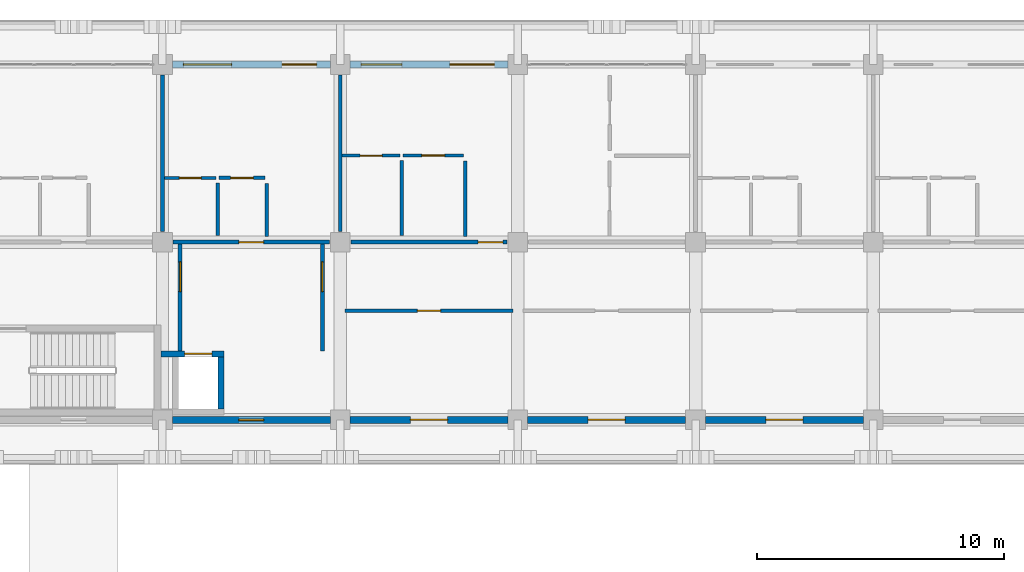
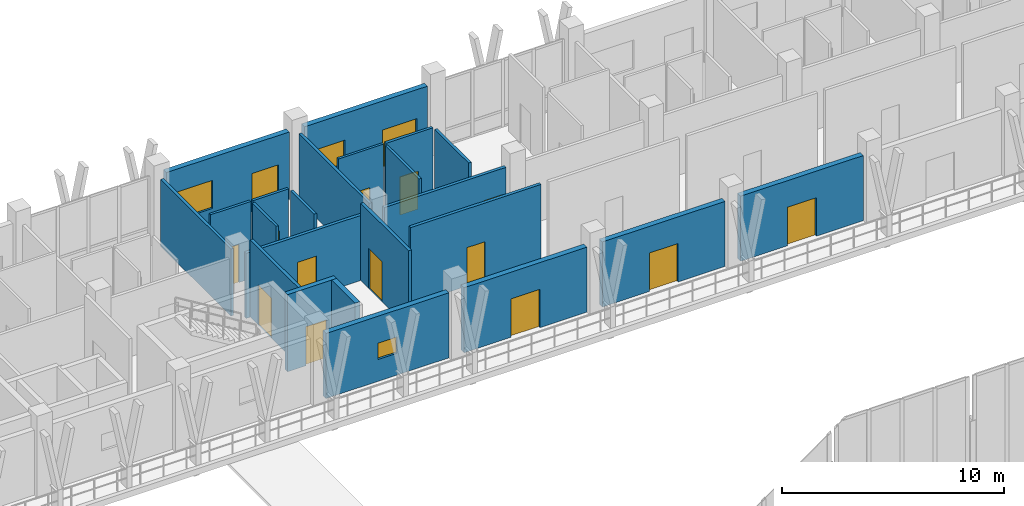
# One storey, part 77 of 110: 23 walls, 15 doors, 3 windows, 18 openings.
"""IFC4 building model written with IfcOpenShell, lengths in metres."""

from ifc_helpers import new_model, si_unit, direction, frame, frame_2d, origin, place, context, subcontext, project, spatial, rectangle, extrude, material, layer, layer_set, type_object, element, fill, save


model = new_model("IFC4")

# Units and contexts
model_context = context("Model", 3, precision=1e-05, world=origin(), true_north=direction((0.0, 1.0)))
body_context = subcontext(model_context, "Body", "Model", "MODEL_VIEW")
ifc_project = project(units=[si_unit("LENGTHUNIT", "METRE"), si_unit("AREAUNIT", "SQUARE_METRE"), si_unit("VOLUMEUNIT", "CUBIC_METRE"), si_unit("PLANEANGLEUNIT", "RADIAN"), si_unit("MASSUNIT", "GRAM", prefix="KILO")], contexts=[model_context])

# Site, building, storey
site_placement = place(None, origin())
site = spatial("IfcSite", under=ifc_project, at=site_placement, CompositionType="ELEMENT")
building_placement = place(site_placement, origin())
building = spatial("IfcBuilding", under=site, at=building_placement, Name="Suanplinth Sawtooth Commons", CompositionType="ELEMENT")
storey_placement = place(building_placement, frame((0.0, 0.0, 4.5)))
storey = spatial("IfcBuildingStorey", under=building, at=storey_placement, Name="L01", CompositionType="ELEMENT", Elevation=4.5)

# Wall, openings, door, window
ifc_material_1 = material(Name="Precast concrete C40/50", Category="concrete")
ifc_layer_1 = layer(ifc_material_1, 0.280029296875, Name="Insulated precast architectural facade wall 280mm")
ifc_layer_set_1 = layer_set([ifc_layer_1], Name="Precast concrete C40/50")
wall_type_1 = type_object("IfcWallType", Name="W-EX01", PredefinedType="ELEMENTEDWALL", material=ifc_layer_set_1)
wall_1_placement = place(storey_placement, frame((65.199951171875, 122.39990234375, 0.0), z_axis=(0.0, 0.0, 1.0), x_axis=(1.0, 0.0, 0.0)))
wall_1 = element("IfcWall", 1, at=wall_1_placement, inside=storey, type_object=wall_type_1, Name="Facade Wall W-L01-A-N-9", PredefinedType="ELEMENTEDWALL", context=body_context, shape_type="SweptSolid", body=[
    extrude(rectangle(XDim=6.400146484375, YDim=0.280029296875, at=frame_2d((3.2001953125, 0.0))), origin(), (0.0, 0.0, 1.0), 3.715087890625),
])
opening_1_placement = place(wall_1_placement, frame((4.449951171875, 0.0, 0.0)))
opening_1 = element("IfcOpeningElement", 2, at=opening_1_placement, cuts=wall_1, Name="Opening ED0051", PredefinedType="OPENING", context=body_context, shape_type="SweptSolid", body=[
    extrude(rectangle(XDim=1.39990234375, YDim=2.10009765625, at=frame_2d((0.699951171875, 1.050048828125))), frame((0.0, 0.15478515625, 0.0), z_axis=(0.0, -1.0, 0.0), x_axis=(1.0, 0.0, 0.0)), (0.0, 0.0, 1.0), 0.309814453125),
])
opening_2_placement = place(wall_1_placement, frame((0.449951171875, 0.0, 0.89990234375)))
opening_2 = element("IfcOpeningElement", 3, at=opening_2_placement, cuts=wall_1, Name="Opening W0177", PredefinedType="OPENING", context=body_context, shape_type="SweptSolid", body=[
    extrude(rectangle(XDim=1.949951171875, YDim=1.550048828125, at=frame_2d((0.97509765625, 0.77490234375))), frame((0.0, 0.15478515625, 0.0), z_axis=(0.0, -1.0, 0.0), x_axis=(1.0, 0.0, 0.0)), (0.0, 0.0, 1.0), 0.309814453125),
])
ifc_material_2 = material(Name="Anodized aluminium and low-E glass", Category="aluminium")
door_type_1 = type_object("IfcDoorType", Name="SD-07", OperationType="SLIDING_TO_RIGHT", PredefinedType="DOOR", material=ifc_material_2)
door_1_placement = place(opening_1_placement, frame((1.39990234375, 0.0, 0.0), z_axis=(0.0, 0.0, 1.0), x_axis=(-1.0, 0.0, 0.0)))
door_1 = element("IfcDoor", 4, at=door_1_placement, inside=storey, type_object=door_type_1, Name="Balcony Sliding Door L01-A-N-9", OperationType="SLIDING_TO_RIGHT", OverallHeight=2.10009765625, OverallWidth=1.39990234375, PredefinedType="DOOR", context=body_context, shape_type="SweptSolid", body=[
    extrude(rectangle(XDim=1.39990234375, YDim=2.10009765625, at=frame_2d((0.699951171875, 1.050048828125))), frame((0.0, 0.02490234375, 0.0), z_axis=(0.0, -1.0, 0.0), x_axis=(1.0, 0.0, 0.0)), (0.0, 0.0, 1.0), 0.050048828125),
])
fill(opening_1, door_1)
ifc_material_3 = material(Name="Thermally broken aluminium and low-E double glazing", Category="aluminium")
window_type_1 = type_object("IfcWindowType", Name="WN-18", PartitioningType="DOUBLE_PANEL_VERTICAL", PredefinedType="WINDOW", material=ifc_material_3)
window_1_placement = place(opening_2_placement, origin())
window_1 = element("IfcWindow", 5, at=window_1_placement, inside=storey, type_object=window_type_1, Name="Window L01-A-N-9", OverallHeight=1.550048828125, OverallWidth=1.949951171875, PartitioningType="DOUBLE_PANEL_VERTICAL", PredefinedType="WINDOW", context=body_context, shape_type="SweptSolid", body=[
    extrude(rectangle(XDim=1.949951171875, YDim=1.550048828125, at=frame_2d((0.97509765625, 0.77490234375))), frame((0.0, 0.030029296875, 0.0), z_axis=(0.0, -1.0, 0.0), x_axis=(1.0, 0.0, 0.0)), (0.0, 0.0, 1.0), 0.06005859375),
])
fill(opening_2, window_1)

# Wall, opening, window
wall_2_placement = place(storey_placement, frame((65.199951171875, 108.0, 0.0), z_axis=(0.0, 0.0, 1.0), x_axis=(1.0, 0.0, 0.0)))
wall_2 = element("IfcWall", 6, at=wall_2_placement, inside=storey, type_object=wall_type_1, Name="Courtyard Wall W-L01-A-S-9", PredefinedType="ELEMENTEDWALL", context=body_context, shape_type="SweptSolid", body=[
    extrude(rectangle(XDim=6.400146484375, YDim=0.280029296875, at=frame_2d((3.2001953125, 0.0))), origin(), (0.0, 0.0, 1.0), 3.5849609375),
])
opening_3_placement = place(wall_2_placement, frame((2.699951171875, 0.0, 1.199951171875)))
opening_3 = element("IfcOpeningElement", 7, at=opening_3_placement, cuts=wall_2, Name="Opening W0178", PredefinedType="OPENING", context=body_context, shape_type="SweptSolid", body=[
    extrude(rectangle(XDim=1.0, YDim=0.89990234375, at=frame_2d((0.5, 0.449951171875))), frame((0.0, 0.15478515625, 0.0), z_axis=(0.0, -1.0, 0.0), x_axis=(1.0, 0.0, 0.0)), (0.0, 0.0, 1.0), 0.309814453125),
])
window_type_2 = type_object("IfcWindowType", Name="WN-12", PartitioningType="SINGLE_PANEL", PredefinedType="WINDOW", material=ifc_material_3)
window_2_placement = place(opening_3_placement, origin())
window_2 = element("IfcWindow", 8, at=window_2_placement, inside=storey, type_object=window_type_2, Name="Core Daylight Window L01-A-9", OverallHeight=0.89990234375, OverallWidth=1.0, PartitioningType="SINGLE_PANEL", PredefinedType="WINDOW", context=body_context, shape_type="SweptSolid", body=[
    extrude(rectangle(XDim=1.0, YDim=0.89990234375, at=frame_2d((0.5, 0.449951171875))), frame((0.0, 0.030029296875, 0.0), z_axis=(0.0, -1.0, 0.0), x_axis=(1.0, 0.0, 0.0)), (0.0, 0.0, 1.0), 0.06005859375),
])
fill(opening_3, window_2)

# Wall, openings, door, window
wall_3_placement = place(storey_placement, frame((72.39990234375, 122.39990234375, 0.0), z_axis=(0.0, 0.0, 1.0), x_axis=(1.0, 0.0, 0.0)))
wall_3 = element("IfcWall", 9, at=wall_3_placement, inside=storey, type_object=wall_type_1, Name="Facade Wall W-L01-A-N-10", PredefinedType="ELEMENTEDWALL", context=body_context, shape_type="SweptSolid", body=[
    extrude(rectangle(XDim=6.400146484375, YDim=0.280029296875, at=frame_2d((3.2001953125, 0.0))), origin(), (0.0, 0.0, 1.0), 3.715087890625),
])
opening_4_placement = place(wall_3_placement, frame((4.050048828125, 0.0, 0.0)))
opening_4 = element("IfcOpeningElement", 10, at=opening_4_placement, cuts=wall_3, Name="Opening ED0052", PredefinedType="OPENING", context=body_context, shape_type="SweptSolid", body=[
    extrude(rectangle(XDim=1.800048828125, YDim=2.1201171875, at=frame_2d((0.89990234375, 1.06005859375))), frame((0.0, 0.15478515625, 0.0), z_axis=(0.0, -1.0, 0.0), x_axis=(1.0, 0.0, 0.0)), (0.0, 0.0, 1.0), 0.309814453125),
])
opening_5_placement = place(wall_3_placement, frame((0.449951171875, 0.0, 0.89990234375)))
opening_5 = element("IfcOpeningElement", 11, at=opening_5_placement, cuts=wall_3, Name="Opening W0179", PredefinedType="OPENING", context=body_context, shape_type="SweptSolid", body=[
    extrude(rectangle(XDim=1.64990234375, YDim=1.35009765625, at=frame_2d((0.824951171875, 0.675048828125))), frame((0.0, 0.15478515625, 0.0), z_axis=(0.0, -1.0, 0.0), x_axis=(1.0, 0.0, 0.0)), (0.0, 0.0, 1.0), 0.309814453125),
])
door_type_2 = type_object("IfcDoorType", Name="SD-01", OperationType="SLIDING_TO_LEFT", PredefinedType="DOOR", material=ifc_material_2)
door_2_placement = place(opening_4_placement, frame((1.800048828125, 0.0, 0.0), z_axis=(0.0, 0.0, 1.0), x_axis=(-1.0, 0.0, 0.0)))
door_2 = element("IfcDoor", 12, at=door_2_placement, inside=storey, type_object=door_type_2, Name="Balcony Sliding Door L01-A-N-10", OperationType="SLIDING_TO_LEFT", OverallHeight=2.1201171875, OverallWidth=1.800048828125, PredefinedType="DOOR", context=body_context, shape_type="SweptSolid", body=[
    extrude(rectangle(XDim=1.800048828125, YDim=2.1201171875, at=frame_2d((0.89990234375, 1.06005859375))), frame((0.0, 0.02490234375, 0.0), z_axis=(0.0, -1.0, 0.0), x_axis=(1.0, 0.0, 0.0)), (0.0, 0.0, 1.0), 0.050048828125),
])
fill(opening_4, door_2)
window_type_3 = type_object("IfcWindowType", Name="WN-19", PartitioningType="DOUBLE_PANEL_VERTICAL", PredefinedType="WINDOW", material=ifc_material_3)
window_3_placement = place(opening_5_placement, origin())
window_3 = element("IfcWindow", 13, at=window_3_placement, inside=storey, type_object=window_type_3, Name="Window L01-A-N-10", OverallHeight=1.35009765625, OverallWidth=1.64990234375, PartitioningType="DOUBLE_PANEL_VERTICAL", PredefinedType="WINDOW", context=body_context, shape_type="SweptSolid", body=[
    extrude(rectangle(XDim=1.64990234375, YDim=1.35009765625, at=frame_2d((0.824951171875, 0.675048828125))), frame((0.0, 0.030029296875, 0.0), z_axis=(0.0, -1.0, 0.0), x_axis=(1.0, 0.0, 0.0)), (0.0, 0.0, 1.0), 0.06005859375),
])
fill(opening_5, window_3)

# Wall, opening, door
wall_4_placement = place(storey_placement, frame((72.39990234375, 108.0, 0.0), z_axis=(0.0, 0.0, 1.0), x_axis=(1.0, 0.0, 0.0)))
wall_4 = element("IfcWall", 14, at=wall_4_placement, inside=storey, type_object=wall_type_1, Name="Courtyard Wall W-L01-A-S-10", PredefinedType="ELEMENTEDWALL", context=body_context, shape_type="SweptSolid", body=[
    extrude(rectangle(XDim=6.400146484375, YDim=0.280029296875, at=frame_2d((3.2001953125, 0.0))), origin(), (0.0, 0.0, 1.0), 3.5849609375),
])
opening_6_placement = place(wall_4_placement, frame((2.449951171875, 0.0, 0.0)))
opening_6 = element("IfcOpeningElement", 15, at=opening_6_placement, cuts=wall_4, Name="Opening ED0053", PredefinedType="OPENING", context=body_context, shape_type="SweptSolid", body=[
    extrude(rectangle(XDim=1.5, YDim=2.1201171875, at=frame_2d((0.75, 1.06005859375))), frame((0.0, 0.15478515625, 0.0), z_axis=(0.0, -1.0, 0.0), x_axis=(1.0, 0.0, 0.0)), (0.0, 0.0, 1.0), 0.309814453125),
])
door_type_3 = type_object("IfcDoorType", Name="SD-03", OperationType="SLIDING_TO_LEFT", PredefinedType="DOOR", material=ifc_material_2)
door_3_placement = place(opening_6_placement, frame((1.5, 0.0, 0.0), z_axis=(0.0, 0.0, 1.0), x_axis=(-1.0, 0.0, 0.0)))
door_3 = element("IfcDoor", 16, at=door_3_placement, inside=storey, type_object=door_type_3, Name="Courtyard Balcony Sliding Door L01-A-S-10", OperationType="SLIDING_TO_LEFT", OverallHeight=2.1201171875, OverallWidth=1.5, PredefinedType="DOOR", context=body_context, shape_type="SweptSolid", body=[
    extrude(rectangle(XDim=1.5, YDim=2.1201171875, at=frame_2d((0.75, 1.06005859375))), frame((0.0, 0.02490234375, 0.0), z_axis=(0.0, -1.0, 0.0), x_axis=(1.0, 0.0, 0.0)), (0.0, 0.0, 1.0), 0.050048828125),
])
fill(opening_6, door_3)

wall_5_placement = place(storey_placement, frame((79.60009765625, 108.0, 0.0), z_axis=(0.0, 0.0, 1.0), x_axis=(1.0, 0.0, 0.0)))
wall_5 = element("IfcWall", 17, at=wall_5_placement, inside=storey, type_object=wall_type_1, Name="Courtyard Wall W-L01-A-S-11", PredefinedType="ELEMENTEDWALL", context=body_context, shape_type="SweptSolid", body=[
    extrude(rectangle(XDim=6.39990234375, YDim=0.280029296875, at=frame_2d((3.199951171875, 0.0))), origin(), (0.0, 0.0, 1.0), 3.5849609375),
])
opening_7_placement = place(wall_5_placement, frame((2.449951171875, 0.0, 0.0)))
opening_7 = element("IfcOpeningElement", 18, at=opening_7_placement, cuts=wall_5, Name="Opening ED0054", PredefinedType="OPENING", context=body_context, shape_type="SweptSolid", body=[
    extrude(rectangle(XDim=1.5, YDim=2.1201171875, at=frame_2d((0.75, 1.06005859375))), frame((0.0, 0.15478515625, 0.0), z_axis=(0.0, -1.0, 0.0), x_axis=(1.0, 0.0, 0.0)), (0.0, 0.0, 1.0), 0.309814453125),
])
door_4_placement = place(opening_7_placement, frame((1.5, 0.0, 0.0), z_axis=(0.0, 0.0, 1.0), x_axis=(-1.0, 0.0, 0.0)))
door_4 = element("IfcDoor", 19, at=door_4_placement, inside=storey, type_object=door_type_3, Name="Courtyard Balcony Sliding Door L01-A-S-11", OperationType="SLIDING_TO_LEFT", OverallHeight=2.1201171875, OverallWidth=1.5, PredefinedType="DOOR", context=body_context, shape_type="SweptSolid", body=[
    extrude(rectangle(XDim=1.5, YDim=2.1201171875, at=frame_2d((0.75, 1.06005859375))), frame((0.0, 0.02490234375, 0.0), z_axis=(0.0, -1.0, 0.0), x_axis=(1.0, 0.0, 0.0)), (0.0, 0.0, 1.0), 0.050048828125),
])
fill(opening_7, door_4)

wall_6_placement = place(storey_placement, frame((86.800048828125, 108.0, 0.0), z_axis=(0.0, 0.0, 1.0), x_axis=(1.0, 0.0, 0.0)))
wall_6 = element("IfcWall", 20, at=wall_6_placement, inside=storey, type_object=wall_type_1, Name="Courtyard Wall W-L01-A-S-12", PredefinedType="ELEMENTEDWALL", context=body_context, shape_type="SweptSolid", body=[
    extrude(rectangle(XDim=6.39990234375, YDim=0.280029296875, at=frame_2d((3.199951171875, 0.0))), origin(), (0.0, 0.0, 1.0), 3.5849609375),
])
opening_8_placement = place(wall_6_placement, frame((2.449951171875, 0.0, 0.0)))
opening_8 = element("IfcOpeningElement", 21, at=opening_8_placement, cuts=wall_6, Name="Opening ED0056", PredefinedType="OPENING", context=body_context, shape_type="SweptSolid", body=[
    extrude(rectangle(XDim=1.5, YDim=2.1201171875, at=frame_2d((0.75, 1.06005859375))), frame((0.0, 0.15478515625, 0.0), z_axis=(0.0, -1.0, 0.0), x_axis=(1.0, 0.0, 0.0)), (0.0, 0.0, 1.0), 0.309814453125),
])
door_5_placement = place(opening_8_placement, frame((1.5, 0.0, 0.0), z_axis=(0.0, 0.0, 1.0), x_axis=(-1.0, 0.0, 0.0)))
door_5 = element("IfcDoor", 22, at=door_5_placement, inside=storey, type_object=door_type_3, Name="Courtyard Balcony Sliding Door L01-A-S-12", OperationType="SLIDING_TO_LEFT", OverallHeight=2.1201171875, OverallWidth=1.5, PredefinedType="DOOR", context=body_context, shape_type="SweptSolid", body=[
    extrude(rectangle(XDim=1.5, YDim=2.1201171875, at=frame_2d((0.75, 1.06005859375))), frame((0.0, 0.02490234375, 0.0), z_axis=(0.0, -1.0, 0.0), x_axis=(1.0, 0.0, 0.0)), (0.0, 0.0, 1.0), 0.050048828125),
])
fill(opening_8, door_5)

ifc_layer_2 = layer(ifc_material_1, 0.159912109375, Name="Fire-rated corridor and lobby wall 160mm")
ifc_layer_set_2 = layer_set([ifc_layer_2], Name="Precast concrete C40/50")
wall_type_2 = type_object("IfcWallType", Name="W-FW01", PredefinedType="PARTITIONING", material=ifc_layer_set_2)
wall_7_placement = place(storey_placement, frame((65.52001953125, 110.800048828125, 0.0), z_axis=(0.0, 0.0, 1.0), x_axis=(0.0, 1.0, 0.0)))
wall_7 = element("IfcWall", 23, at=wall_7_placement, inside=storey, type_object=wall_type_2, Name="W-L01-C-A2-LOB-W", PredefinedType="PARTITIONING", context=body_context, shape_type="SweptSolid", body=[
    extrude(rectangle(XDim=4.320068359375, YDim=0.159912109375, at=frame_2d((2.16015625, 0.0))), origin(), (0.0, 0.0, 1.0), 4.25),
])
opening_9_placement = place(wall_7_placement, frame((2.39990234375, 0.0, 0.0)))
opening_9 = element("IfcOpeningElement", 24, at=opening_9_placement, cuts=wall_7, Name="Opening FD0095", PredefinedType="OPENING", context=body_context, shape_type="SweptSolid", body=[
    extrude(rectangle(XDim=1.199951171875, YDim=2.199951171875, at=frame_2d((0.60009765625, 1.10009765625))), frame((0.0, 0.0947265625, 0.0), z_axis=(0.0, -1.0, 0.0), x_axis=(1.0, 0.0, 0.0)), (0.0, 0.0, 1.0), 0.189697265625),
])
ifc_material_4 = material(Name="Teak hardwood fire-rated door assembly", Category="wood")
door_type_4 = type_object("IfcDoorType", Name="FD-02", OperationType="NOTDEFINED", PredefinedType="DOOR", material=ifc_material_4)
door_6_placement = place(opening_9_placement, origin())
door_6 = element("IfcDoor", 25, at=door_6_placement, inside=storey, type_object=door_type_4, Name="Lobby Fire Door FD0095", OperationType="SINGLE_SWING_RIGHT", OverallHeight=2.199951171875, OverallWidth=1.199951171875, PredefinedType="DOOR", context=body_context, shape_type="SweptSolid", body=[
    extrude(rectangle(XDim=1.199951171875, YDim=2.199951171875, at=frame_2d((0.60009765625, 1.10009765625))), frame((0.0, 0.02490234375, 0.0), z_axis=(0.0, -1.0, 0.0), x_axis=(1.0, 0.0, 0.0)), (0.0, 0.0, 1.0), 0.050048828125),
])
fill(opening_9, door_6)

wall_8_placement = place(storey_placement, frame((71.280029296875, 110.800048828125, 0.0), z_axis=(0.0, 0.0, 1.0), x_axis=(0.0, 1.0, 0.0)))
wall_8 = element("IfcWall", 26, at=wall_8_placement, inside=storey, type_object=wall_type_2, Name="W-L01-C-A2-LOB-E", PredefinedType="PARTITIONING", context=body_context, shape_type="SweptSolid", body=[
    extrude(rectangle(XDim=4.320068359375, YDim=0.159912109375, at=frame_2d((2.16015625, 0.0))), origin(), (0.0, 0.0, 1.0), 4.25),
])
opening_10_placement = place(wall_8_placement, frame((2.39990234375, 0.0, 0.0)))
opening_10 = element("IfcOpeningElement", 27, at=opening_10_placement, cuts=wall_8, Name="Opening FD0096", PredefinedType="OPENING", context=body_context, shape_type="SweptSolid", body=[
    extrude(rectangle(XDim=1.199951171875, YDim=2.199951171875, at=frame_2d((0.60009765625, 1.10009765625))), frame((0.0, 0.0947265625, 0.0), z_axis=(0.0, -1.0, 0.0), x_axis=(1.0, 0.0, 0.0)), (0.0, 0.0, 1.0), 0.189697265625),
])
door_7_placement = place(opening_10_placement, frame((1.199951171875, 0.0, 0.0), z_axis=(0.0, 0.0, 1.0), x_axis=(-1.0, 0.0, 0.0)))
door_7 = element("IfcDoor", 28, at=door_7_placement, inside=storey, type_object=door_type_4, Name="Lobby Fire Door FD0096", OperationType="SINGLE_SWING_LEFT", OverallHeight=2.199951171875, OverallWidth=1.199951171875, PredefinedType="DOOR", context=body_context, shape_type="SweptSolid", body=[
    extrude(rectangle(XDim=1.199951171875, YDim=2.199951171875, at=frame_2d((0.60009765625, 1.10009765625))), frame((0.0, 0.02490234375, 0.0), z_axis=(0.0, -1.0, 0.0), x_axis=(1.0, 0.0, 0.0)), (0.0, 0.0, 1.0), 0.050048828125),
])
fill(opening_10, door_7)

wall_9_placement = place(storey_placement, frame((65.22998046875, 115.199951171875, 0.0), z_axis=(0.0, 0.0, 1.0), x_axis=(1.0, 0.0, 0.0)))
wall_9 = element("IfcWall", 29, at=wall_9_placement, inside=storey, type_object=wall_type_2, Name="W-A-L01-U08-COR", PredefinedType="PARTITIONING", context=body_context, shape_type="SweptSolid", body=[
    extrude(rectangle(XDim=6.340087890625, YDim=0.159912109375, at=frame_2d((3.169921875, 0.0))), origin(), (0.0, 0.0, 1.0), 3.5849609375),
])
opening_11_placement = place(wall_9_placement, frame((2.669921875, 0.0, 0.0)))
opening_11 = element("IfcOpeningElement", 30, at=opening_11_placement, cuts=wall_9, Name="Opening FD0547", PredefinedType="OPENING", context=body_context, shape_type="SweptSolid", body=[
    extrude(rectangle(XDim=1.0, YDim=2.14990234375, at=frame_2d((0.5, 1.074951171875))), frame((0.0, 0.0947265625, 0.0), z_axis=(0.0, -1.0, 0.0), x_axis=(1.0, 0.0, 0.0)), (0.0, 0.0, 1.0), 0.189697265625),
])
door_type_5 = type_object("IfcDoorType", Name="FD-03", OperationType="NOTDEFINED", PredefinedType="DOOR", material=ifc_material_4)
door_8_placement = place(opening_11_placement, origin())
door_8 = element("IfcDoor", 31, at=door_8_placement, inside=storey, type_object=door_type_5, Name="Unit Entrance Door FD0547", OperationType="SINGLE_SWING_LEFT", OverallHeight=2.14990234375, OverallWidth=1.0, PredefinedType="DOOR", context=body_context, shape_type="SweptSolid", body=[
    extrude(rectangle(XDim=1.0, YDim=2.14990234375, at=frame_2d((0.5, 1.074951171875))), frame((0.0, 0.02490234375, 0.0), z_axis=(0.0, -1.0, 0.0), x_axis=(1.0, 0.0, 0.0)), (0.0, 0.0, 1.0), 0.050048828125),
])
fill(opening_11, door_8)

wall_10_placement = place(storey_placement, frame((72.429931640625, 115.199951171875, 0.0), z_axis=(0.0, 0.0, 1.0), x_axis=(1.0, 0.0, 0.0)))
wall_10 = element("IfcWall", 32, at=wall_10_placement, inside=storey, type_object=wall_type_2, Name="W-A-L01-U09-COR-S1", PredefinedType="PARTITIONING", context=body_context, shape_type="SweptSolid", body=[
    extrude(rectangle(XDim=6.340087890625, YDim=0.159912109375, at=frame_2d((3.169921875, 0.0))), origin(), (0.0, 0.0, 1.0), 3.5849609375),
])
opening_12_placement = place(wall_10_placement, frame((5.159912109375, 0.0, 0.0)))
opening_12 = element("IfcOpeningElement", 33, at=opening_12_placement, cuts=wall_10, Name="Opening FD0550", PredefinedType="OPENING", context=body_context, shape_type="SweptSolid", body=[
    extrude(rectangle(XDim=1.0, YDim=2.14990234375, at=frame_2d((0.5, 1.074951171875))), frame((0.0, 0.0947265625, 0.0), z_axis=(0.0, -1.0, 0.0), x_axis=(1.0, 0.0, 0.0)), (0.0, 0.0, 1.0), 0.189697265625),
])
door_9_placement = place(opening_12_placement, origin())
door_9 = element("IfcDoor", 34, at=door_9_placement, inside=storey, type_object=door_type_5, Name="Unit Entrance Door FD0550", OperationType="SINGLE_SWING_RIGHT", OverallHeight=2.14990234375, OverallWidth=1.0, PredefinedType="DOOR", context=body_context, shape_type="SweptSolid", body=[
    extrude(rectangle(XDim=1.0, YDim=2.14990234375, at=frame_2d((0.5, 1.074951171875))), frame((0.0, 0.02490234375, 0.0), z_axis=(0.0, -1.0, 0.0), x_axis=(1.0, 0.0, 0.0)), (0.0, 0.0, 1.0), 0.050048828125),
])
fill(opening_12, door_9)

wall_11_placement = place(storey_placement, frame((72.199951171875, 112.419921875, 0.0), z_axis=(0.0, 0.0, 1.0), x_axis=(1.0, 0.0, 0.0)))
wall_11 = element("IfcWall", 35, at=wall_11_placement, inside=storey, type_object=wall_type_2, Name="W-A-L01-COURTROOM-19-COR", PredefinedType="PARTITIONING", context=body_context, shape_type="SweptSolid", body=[
    extrude(rectangle(XDim=6.800048828125, YDim=0.159912109375, at=frame_2d((3.39990234375, 0.0))), origin(), (0.0, 0.0, 1.0), 4.25),
])
opening_13_placement = place(wall_11_placement, frame((2.929931640625, 0.0, 0.0)))
opening_13 = element("IfcOpeningElement", 36, at=opening_13_placement, cuts=wall_11, Name="Opening D0573", PredefinedType="OPENING", context=body_context, shape_type="SweptSolid", body=[
    extrude(rectangle(XDim=0.93994140625, YDim=2.1201171875, at=frame_2d((0.469970703125, 1.06005859375))), frame((0.0, 0.0947265625, 0.0), z_axis=(0.0, -1.0, 0.0), x_axis=(1.0, 0.0, 0.0)), (0.0, 0.0, 1.0), 0.189697265625),
])
ifc_material_5 = material(Name="Teak hardwood", Category="wood")
door_type_6 = type_object("IfcDoorType", Name="D-15", OperationType="NOTDEFINED", PredefinedType="DOOR", material=ifc_material_5)
door_10_placement = place(opening_13_placement, frame((0.93994140625, 0.0, 0.0), z_axis=(0.0, 0.0, 1.0), x_axis=(-1.0, 0.0, 0.0)))
door_10 = element("IfcDoor", 37, at=door_10_placement, inside=storey, type_object=door_type_6, Name="Study Studio Door D0573", OperationType="SINGLE_SWING_LEFT", OverallHeight=2.1201171875, OverallWidth=0.93994140625, PredefinedType="DOOR", context=body_context, shape_type="SweptSolid", body=[
    extrude(rectangle(XDim=0.93994140625, YDim=2.1201171875, at=frame_2d((0.469970703125, 1.06005859375))), frame((0.0, 0.02490234375, 0.0), z_axis=(0.0, -1.0, 0.0), x_axis=(1.0, 0.0, 0.0)), (0.0, 0.0, 1.0), 0.050048828125),
])
fill(opening_13, door_10)

# Walls
ifc_layer_3 = layer(ifc_material_1, 0.14990234375, Name="Acoustic precast party demising wall 150mm")
ifc_layer_set_3 = layer_set([ifc_layer_3], Name="Precast concrete C40/50")
wall_type_3 = type_object("IfcWallType", Name="W-FW02", PredefinedType="PARTITIONING", material=ifc_layer_set_3)
for number, where, z_axis, x_axis, name in (
    (38, (64.800048828125, 115.6298828125, 0.0), (0.0, 0.0, 1.0), (0.0, 1.0, 0.0), "W-A-L01-U07-PTY"),
    (39, (72.0, 115.6298828125, 0.0), (0.0, 0.0, 1.0), (0.0, 1.0, 0.0), "W-A-L01-U08-PTY"),
):
    element("IfcWall", number, at=place(storey_placement, frame(where, z_axis=z_axis, x_axis=x_axis)), inside=storey, type_object=wall_type_3, Name=name, PredefinedType="PARTITIONING", context=body_context, shape_type="SweptSolid", body=[
        extrude(rectangle(XDim=6.340087890625, YDim=0.14990234375, at=frame_2d((3.169921875, 0.0))), origin(), (0.0, 0.0, 1.0), 3.68505859375),
    ])

# Wall, opening, door
ifc_material_6 = material(Name="Gypsum plasterboard on steel stud", Category="steel")
ifc_layer_4 = layer(ifc_material_6, 0.139892578125, Name="Fire-rated kitchen partition 140mm")
ifc_layer_set_4 = layer_set([ifc_layer_4], Name="Gypsum plasterboard on steel stud")
wall_type_4 = type_object("IfcWallType", Name="W-PT01", PredefinedType="PARTITIONING", material=ifc_layer_set_4)
wall_12_placement = place(storey_placement, frame((67.10009765625, 117.800048828125, 0.0), z_axis=(0.0, 0.0, 1.0), x_axis=(1.0, 0.0, 0.0)))
wall_12 = element("IfcWall", 40, at=wall_12_placement, inside=storey, type_object=wall_type_4, Name="W-A-L01-U08-KIT1", PredefinedType="PARTITIONING", context=body_context, shape_type="SweptSolid", body=[
    extrude(rectangle(XDim=1.849853515625, YDim=0.139892578125, at=frame_2d((0.9248046875, 0.0))), origin(), (0.0, 0.0, 1.0), 4.25),
])
opening_14_placement = place(wall_12_placement, frame((0.465087890625, 0.0, 0.0)))
opening_14 = element("IfcOpeningElement", 41, at=opening_14_placement, cuts=wall_12, Name="Opening D0549", PredefinedType="OPENING", context=body_context, shape_type="SweptSolid", body=[
    extrude(rectangle(XDim=0.919921875, YDim=2.10009765625, at=frame_2d((0.4599609375, 1.050048828125))), frame((0.0, 0.0849609375, 0.0), z_axis=(0.0, -1.0, 0.0), x_axis=(1.0, 0.0, 0.0)), (0.0, 0.0, 1.0), 0.169677734375),
])
door_type_7 = type_object("IfcDoorType", Name="D-02", OperationType="NOTDEFINED", PredefinedType="DOOR", material=ifc_material_5)
door_11_placement = place(opening_14_placement, frame((0.919921875, 0.0, 0.0), z_axis=(0.0, 0.0, 1.0), x_axis=(-1.0, 0.0, 0.0)))
door_11 = element("IfcDoor", 42, at=door_11_placement, inside=storey, type_object=door_type_7, Name="Kitchen Door D0549", OperationType="SINGLE_SWING_LEFT", OverallHeight=2.10009765625, OverallWidth=0.919921875, PredefinedType="DOOR", context=body_context, shape_type="SweptSolid", body=[
    extrude(rectangle(XDim=0.919921875, YDim=2.10009765625, at=frame_2d((0.4599609375, 1.050048828125))), frame((0.0, 0.02490234375, 0.0), z_axis=(0.0, -1.0, 0.0), x_axis=(1.0, 0.0, 0.0)), (0.0, 0.0, 1.0), 0.050048828125),
])
fill(opening_14, door_11)

# Wall
wall_13_placement = place(storey_placement, frame((69.02001953125, 115.429931640625, 0.0), z_axis=(0.0, 0.0, 1.0), x_axis=(0.0, 1.0, 0.0)))
element("IfcWall", 43, at=wall_13_placement, inside=storey, type_object=wall_type_4, Name="W-A-L01-U08-KIT2", PredefinedType="PARTITIONING", context=body_context, shape_type="SweptSolid", body=[
    extrude(rectangle(XDim=2.150146484375, YDim=0.139892578125, at=frame_2d((1.0751953125, 0.0))), origin(), (0.0, 0.0, 1.0), 4.25),
])

# Wall, opening, door
wall_14_placement = place(storey_placement, frame((74.550048828125, 118.7099609375, 0.0), z_axis=(0.0, 0.0, 1.0), x_axis=(1.0, 0.0, 0.0)))
wall_14 = element("IfcWall", 44, at=wall_14_placement, inside=storey, type_object=wall_type_4, Name="W-A-L01-U09-KIT1", PredefinedType="PARTITIONING", context=body_context, shape_type="SweptSolid", body=[
    extrude(rectangle(XDim=2.449951171875, YDim=0.139892578125, at=frame_2d((1.22509765625, 0.0))), origin(), (0.0, 0.0, 1.0), 4.25),
])
opening_15_placement = place(wall_14_placement, frame((0.764892578125, 0.0, 0.0)))
opening_15 = element("IfcOpeningElement", 45, at=opening_15_placement, cuts=wall_14, Name="Opening D0552", PredefinedType="OPENING", context=body_context, shape_type="SweptSolid", body=[
    extrude(rectangle(XDim=0.919921875, YDim=2.10009765625, at=frame_2d((0.4599609375, 1.050048828125))), frame((0.0, 0.0849609375, 0.0), z_axis=(0.0, -1.0, 0.0), x_axis=(1.0, 0.0, 0.0)), (0.0, 0.0, 1.0), 0.169677734375),
])
door_12_placement = place(opening_15_placement, frame((0.919921875, 0.0, 0.0), z_axis=(0.0, 0.0, 1.0), x_axis=(-1.0, 0.0, 0.0)))
door_12 = element("IfcDoor", 46, at=door_12_placement, inside=storey, type_object=door_type_7, Name="Kitchen Door D0552", OperationType="SINGLE_SWING_RIGHT", OverallHeight=2.10009765625, OverallWidth=0.919921875, PredefinedType="DOOR", context=body_context, shape_type="SweptSolid", body=[
    extrude(rectangle(XDim=0.919921875, YDim=2.10009765625, at=frame_2d((0.4599609375, 1.050048828125))), frame((0.0, 0.02490234375, 0.0), z_axis=(0.0, -1.0, 0.0), x_axis=(1.0, 0.0, 0.0)), (0.0, 0.0, 1.0), 0.050048828125),
])
fill(opening_15, door_12)

# Wall
wall_15_placement = place(storey_placement, frame((77.070068359375, 115.429931640625, 0.0), z_axis=(0.0, 0.0, 1.0), x_axis=(0.0, 1.0, 0.0)))
element("IfcWall", 47, at=wall_15_placement, inside=storey, type_object=wall_type_4, Name="W-A-L01-U09-KIT2", PredefinedType="PARTITIONING", context=body_context, shape_type="SweptSolid", body=[
    extrude(rectangle(XDim=3.06005859375, YDim=0.139892578125, at=frame_2d((1.530029296875, 0.0))), origin(), (0.0, 0.0, 1.0), 4.25),
])

# Wall, opening, door
ifc_layer_5 = layer(ifc_material_6, 0.1298828125, Name="Moisture-resistant bathroom partition 130mm")
ifc_layer_set_5 = layer_set([ifc_layer_5], Name="Gypsum plasterboard on steel stud")
wall_type_5 = type_object("IfcWallType", Name="W-PT02", PredefinedType="PARTITIONING", material=ifc_layer_set_5)
wall_16_placement = place(storey_placement, frame((64.8798828125, 117.794921875, 0.0), z_axis=(0.0, 0.0, 1.0), x_axis=(1.0, 0.0, 0.0)))
wall_16 = element("IfcWall", 48, at=wall_16_placement, inside=storey, type_object=wall_type_5, Name="W-A-L01-U08-BTH1", PredefinedType="PARTITIONING", context=body_context, shape_type="SweptSolid", body=[
    extrude(rectangle(XDim=2.10009765625, YDim=0.1298828125, at=frame_2d((1.050048828125, 0.0))), origin(), (0.0, 0.0, 1.0), 4.25),
])
opening_16_placement = place(wall_16_placement, frame((0.610107421875, 0.0, 0.0)))
opening_16 = element("IfcOpeningElement", 49, at=opening_16_placement, cuts=wall_16, Name="Opening D0548", PredefinedType="OPENING", context=body_context, shape_type="SweptSolid", body=[
    extrude(rectangle(XDim=0.8798828125, YDim=2.10009765625, at=frame_2d((0.43994140625, 1.050048828125))), frame((0.0, 0.079833984375, 0.0), z_axis=(0.0, -1.0, 0.0), x_axis=(1.0, 0.0, 0.0)), (0.0, 0.0, 1.0), 0.15966796875),
])
door_type_8 = type_object("IfcDoorType", Name="D-14", OperationType="NOTDEFINED", PredefinedType="DOOR", material=ifc_material_5)
door_13_placement = place(opening_16_placement, frame((0.8798828125, 0.0, 0.0), z_axis=(0.0, 0.0, 1.0), x_axis=(-1.0, 0.0, 0.0)))
door_13 = element("IfcDoor", 50, at=door_13_placement, inside=storey, type_object=door_type_8, Name="Bathroom Door D0548", OperationType="SINGLE_SWING_RIGHT", OverallHeight=2.10009765625, OverallWidth=0.8798828125, PredefinedType="DOOR", context=body_context, shape_type="SweptSolid", body=[
    extrude(rectangle(XDim=0.8798828125, YDim=2.10009765625, at=frame_2d((0.43994140625, 1.050048828125))), frame((0.0, 0.02490234375, 0.0), z_axis=(0.0, -1.0, 0.0), x_axis=(1.0, 0.0, 0.0)), (0.0, 0.0, 1.0), 0.050048828125),
])
fill(opening_16, door_13)

# Wall
wall_17_placement = place(storey_placement, frame((67.044921875, 115.4599609375, 0.0), z_axis=(0.0, 0.0, 1.0), x_axis=(0.0, 1.0, 0.0)))
element("IfcWall", 51, at=wall_17_placement, inside=storey, type_object=wall_type_5, Name="W-A-L01-U08-BTH2", PredefinedType="PARTITIONING", context=body_context, shape_type="SweptSolid", body=[
    extrude(rectangle(XDim=2.130126953125, YDim=0.1298828125, at=frame_2d((1.06494140625, 0.0))), origin(), (0.0, 0.0, 1.0), 4.25),
])

# Wall, opening, door
wall_18_placement = place(storey_placement, frame((72.080078125, 118.705078125, 0.0), z_axis=(0.0, 0.0, 1.0), x_axis=(1.0, 0.0, 0.0)))
wall_18 = element("IfcWall", 52, at=wall_18_placement, inside=storey, type_object=wall_type_5, Name="W-A-L01-U09-BTH1", PredefinedType="PARTITIONING", context=body_context, shape_type="SweptSolid", body=[
    extrude(rectangle(XDim=2.349853515625, YDim=0.1298828125, at=frame_2d((1.1748046875, 0.0))), origin(), (0.0, 0.0, 1.0), 4.25),
])
opening_17_placement = place(wall_18_placement, frame((0.72509765625, 0.0, 0.0)))
opening_17 = element("IfcOpeningElement", 53, at=opening_17_placement, cuts=wall_18, Name="Opening D0551", PredefinedType="OPENING", context=body_context, shape_type="SweptSolid", body=[
    extrude(rectangle(XDim=0.89990234375, YDim=2.10009765625, at=frame_2d((0.449951171875, 1.050048828125))), frame((0.0, 0.079833984375, 0.0), z_axis=(0.0, -1.0, 0.0), x_axis=(1.0, 0.0, 0.0)), (0.0, 0.0, 1.0), 0.15966796875),
])
door_type_9 = type_object("IfcDoorType", Name="D-01", OperationType="NOTDEFINED", PredefinedType="DOOR", material=ifc_material_5)
door_14_placement = place(opening_17_placement, frame((0.89990234375, 0.0, 0.0), z_axis=(0.0, 0.0, 1.0), x_axis=(-1.0, 0.0, 0.0)))
door_14 = element("IfcDoor", 54, at=door_14_placement, inside=storey, type_object=door_type_9, Name="Bathroom Door D0551", OperationType="SINGLE_SWING_LEFT", OverallHeight=2.10009765625, OverallWidth=0.89990234375, PredefinedType="DOOR", context=body_context, shape_type="SweptSolid", body=[
    extrude(rectangle(XDim=0.89990234375, YDim=2.10009765625, at=frame_2d((0.449951171875, 1.050048828125))), frame((0.0, 0.02490234375, 0.0), z_axis=(0.0, -1.0, 0.0), x_axis=(1.0, 0.0, 0.0)), (0.0, 0.0, 1.0), 0.050048828125),
])
fill(opening_17, door_14)

# Wall
wall_19_placement = place(storey_placement, frame((74.4951171875, 115.4599609375, 0.0), z_axis=(0.0, 0.0, 1.0), x_axis=(0.0, 1.0, 0.0)))
element("IfcWall", 55, at=wall_19_placement, inside=storey, type_object=wall_type_5, Name="W-A-L01-U09-BTH2", PredefinedType="PARTITIONING", context=body_context, shape_type="SweptSolid", body=[
    extrude(rectangle(XDim=3.0400390625, YDim=0.1298828125, at=frame_2d((1.52001953125, 0.0))), origin(), (0.0, 0.0, 1.0), 4.25),
])

# Wall, opening, door
ifc_layer_6 = layer(ifc_material_1, 0.25, Name="Precast structural shear wall 250mm")
ifc_layer_set_6 = layer_set([ifc_layer_6], Name="Precast concrete C40/50")
wall_type_6 = type_object("IfcWallType", Name="W-SH01", PredefinedType="SHEAR", material=ifc_layer_set_6)
wall_20_placement = place(storey_placement, frame((64.75, 110.675048828125, 0.0), z_axis=(0.0, 0.0, 1.0), x_axis=(1.0, 0.0, 0.0)))
wall_20 = element("IfcWall", 56, at=wall_20_placement, inside=storey, type_object=wall_type_6, Name="W-L01-LF2-N", PredefinedType="SHEAR", context=body_context, shape_type="SweptSolid", body=[
    extrude(rectangle(XDim=2.550048828125, YDim=0.25, at=frame_2d((1.27490234375, 0.0))), origin(), (0.0, 0.0, 1.0), 4.25),
])
opening_18_placement = place(wall_20_placement, frame((0.949951171875, 0.0, 0.0)))
opening_18 = element("IfcOpeningElement", 57, at=opening_18_placement, cuts=wall_20, Name="Opening LD0097", PredefinedType="OPENING", context=body_context, shape_type="SweptSolid", body=[
    extrude(rectangle(XDim=1.10009765625, YDim=2.14990234375, at=frame_2d((0.550048828125, 1.074951171875))), frame((0.0, 0.139892578125, 0.0), z_axis=(0.0, -1.0, 0.0), x_axis=(1.0, 0.0, 0.0)), (0.0, 0.0, 1.0), 0.27978515625),
])
ifc_material_7 = material(Name="Stainless steel Grade 304", Category="steel")
door_type_10 = type_object("IfcDoorType", Name="LD-01", OperationType="SLIDING_TO_LEFT", PredefinedType="DOOR", material=ifc_material_7)
door_15_placement = place(opening_18_placement, origin())
door_15 = element("IfcDoor", 58, at=door_15_placement, inside=storey, type_object=door_type_10, Name="Lift Landing Sliding Door LF2 L01", OperationType="SLIDING_TO_LEFT", OverallHeight=2.14990234375, OverallWidth=1.10009765625, PredefinedType="DOOR", context=body_context, shape_type="SweptSolid", body=[
    extrude(rectangle(XDim=1.10009765625, YDim=2.14990234375, at=frame_2d((0.550048828125, 1.074951171875))), frame((0.0, 0.02490234375, 0.0), z_axis=(0.0, -1.0, 0.0), x_axis=(1.0, 0.0, 0.0)), (0.0, 0.0, 1.0), 0.050048828125),
])
fill(opening_18, door_15)

# Wall
wall_21_placement = place(storey_placement, frame((67.175048828125, 108.449951171875, 0.0), z_axis=(0.0, 0.0, 1.0), x_axis=(0.0, 1.0, 0.0)))
element("IfcWall", 59, at=wall_21_placement, inside=storey, type_object=wall_type_6, Name="W-L01-LF2-E", PredefinedType="SHEAR", context=body_context, shape_type="SweptSolid", body=[
    extrude(rectangle(XDim=2.10009765625, YDim=0.25, at=frame_2d((1.050048828125, 0.0))), origin(), (0.0, 0.0, 1.0), 4.25),
])

save(model, "model.ifc")
